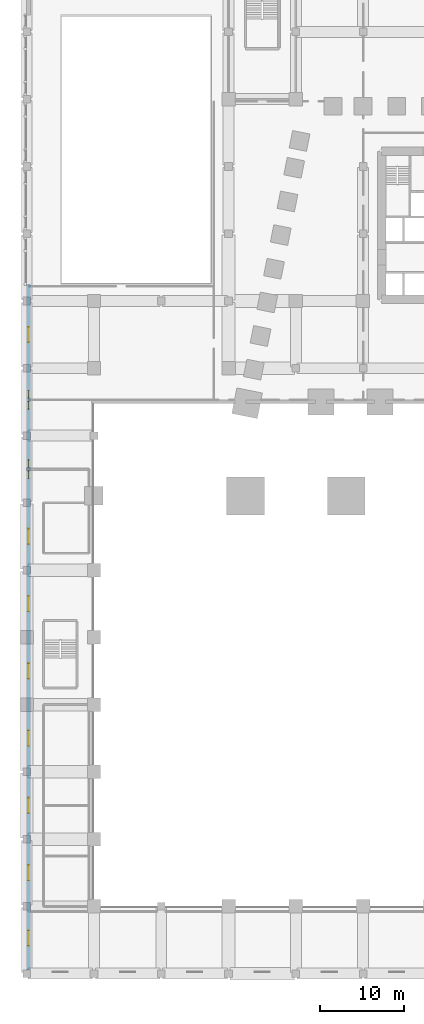
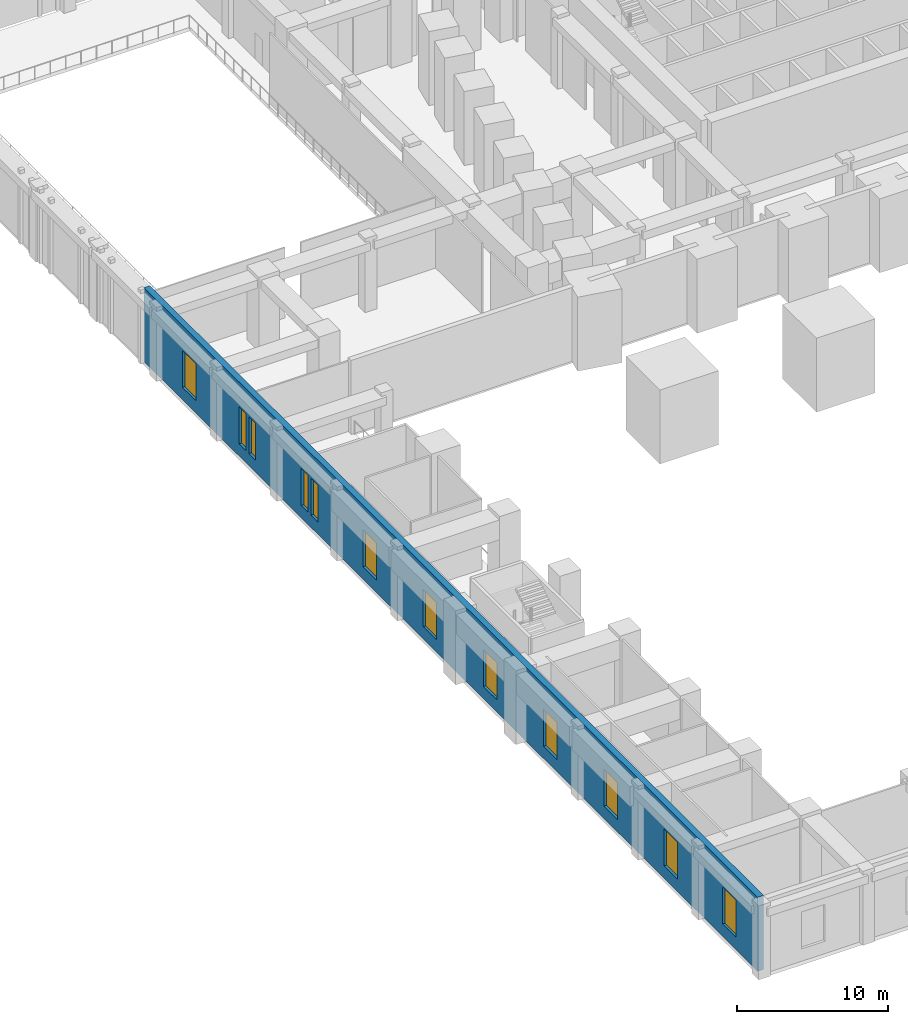
# One storey, part 7 of 25: 12 windows, 1 wall, 12 openings.
"""IFC4 building model written with IfcOpenShell, lengths in metres."""

from ifc_helpers import new_model, si_unit, direction, frame, frame_2d, origin, place, context, subcontext, project, spatial, rectangle, extrude, material, layer, layer_set, type_object, element, fill, save


model = new_model("IFC4")

# Units and contexts
model_context = context("Model", 3, precision=1e-05, world=origin(), true_north=direction((0.0, 1.0)))
body_context = subcontext(model_context, "Body", "Model", "MODEL_VIEW")
ifc_project = project(units=[si_unit("LENGTHUNIT", "METRE"), si_unit("AREAUNIT", "SQUARE_METRE"), si_unit("VOLUMEUNIT", "CUBIC_METRE"), si_unit("PLANEANGLEUNIT", "RADIAN"), si_unit("MASSUNIT", "GRAM", prefix="KILO")], contexts=[model_context])

# Site, building, storey
site_placement = place(None, origin())
site = spatial("IfcSite", under=ifc_project, at=site_placement, CompositionType="ELEMENT")
building_placement = place(site_placement, origin())
building = spatial("IfcBuilding", under=site, at=building_placement, Name="Isbrekke Arena Tower", CompositionType="ELEMENT")
storey_placement = place(building_placement, frame((0.0, 0.0, 6.0)))
storey = spatial("IfcBuildingStorey", under=building, at=storey_placement, Name="L01", CompositionType="ELEMENT", Elevation=6.0)

# Wall, openings, windows
ifc_material_1 = material(Name="Pale brick facing on concrete backing wall", Category="masonry")
ifc_layer = layer(ifc_material_1, 0.449951171875)
ifc_layer_set = layer_set([ifc_layer], Name="EW1 PODIUM BRICK WALL 450")
wall_type = type_object("IfcWallType", Name="EW1 PODIUM BRICK WALL 450", PredefinedType="SOLIDWALL", material=ifc_layer_set)
wall_placement = place(storey_placement, frame((-55.77490234375, 8.0, 0.0), z_axis=(0.0, 0.0, 1.0), x_axis=(0.0, -1.0, 0.0)))
wall = element("IfcWall", 1, at=wall_placement, inside=storey, type_object=wall_type, Name="EW1 podium wall W1 L01", PredefinedType="SOLIDWALL", context=body_context, shape_type="SweptSolid", body=[
    extrude(rectangle(XDim=81.550048828125, YDim=0.449951171875, at=frame_2d((40.77490234375, 0.0))), origin(), (0.0, 0.0, 1.0), 6.0),
])
opening_1_placement = place(wall_placement, frame((5.10009765625, 0.0, 1.0)))
opening_1 = element("IfcOpeningElement", 2, at=opening_1_placement, cuts=wall, Name="Opening WN2", PredefinedType="OPENING", context=body_context, shape_type="SweptSolid", body=[
    extrude(rectangle(XDim=1.800048828125, YDim=3.0, at=frame_2d((0.89990234375, 1.5))), frame((0.0, 0.23974609375, 0.0), z_axis=(0.0, -1.0, 0.0), x_axis=(1.0, 0.0, 0.0)), (0.0, 0.0, 1.0), 0.479736328125),
])
opening_2_placement = place(wall_placement, frame((12.64990234375, 0.0, 1.0)))
opening_2 = element("IfcOpeningElement", 3, at=opening_2_placement, cuts=wall, Name="Opening WN4", PredefinedType="OPENING", context=body_context, shape_type="SweptSolid", body=[
    extrude(rectangle(XDim=0.89990234375, YDim=3.0, at=frame_2d((0.449951171875, 1.5))), frame((0.0, 0.23974609375, 0.0), z_axis=(0.0, -1.0, 0.0), x_axis=(1.0, 0.0, 0.0)), (0.0, 0.0, 1.0), 0.479736328125),
])
opening_3_placement = place(wall_placement, frame((13.949951171875, 0.0, 1.0)))
opening_3 = element("IfcOpeningElement", 4, at=opening_3_placement, cuts=wall, Name="Opening WN4", PredefinedType="OPENING", context=body_context, shape_type="SweptSolid", body=[
    extrude(rectangle(XDim=0.89990234375, YDim=3.0, at=frame_2d((0.449951171875, 1.5))), frame((0.0, 0.23974609375, 0.0), z_axis=(0.0, -1.0, 0.0), x_axis=(1.0, 0.0, 0.0)), (0.0, 0.0, 1.0), 0.479736328125),
])
opening_4_placement = place(wall_placement, frame((20.89990234375, 0.0, 1.0)))
opening_4 = element("IfcOpeningElement", 5, at=opening_4_placement, cuts=wall, Name="Opening WN4", PredefinedType="OPENING", context=body_context, shape_type="SweptSolid", body=[
    extrude(rectangle(XDim=0.89990234375, YDim=3.0, at=frame_2d((0.449951171875, 1.5))), frame((0.0, 0.23974609375, 0.0), z_axis=(0.0, -1.0, 0.0), x_axis=(1.0, 0.0, 0.0)), (0.0, 0.0, 1.0), 0.479736328125),
])
opening_5_placement = place(wall_placement, frame((22.199951171875, 0.0, 1.0)))
opening_5 = element("IfcOpeningElement", 6, at=opening_5_placement, cuts=wall, Name="Opening WN4", PredefinedType="OPENING", context=body_context, shape_type="SweptSolid", body=[
    extrude(rectangle(XDim=0.89990234375, YDim=3.0, at=frame_2d((0.449951171875, 1.5))), frame((0.0, 0.23974609375, 0.0), z_axis=(0.0, -1.0, 0.0), x_axis=(1.0, 0.0, 0.0)), (0.0, 0.0, 1.0), 0.479736328125),
])
opening_6_placement = place(wall_placement, frame((29.10009765625, 0.0, 1.0)))
opening_6 = element("IfcOpeningElement", 7, at=opening_6_placement, cuts=wall, Name="Opening WN2", PredefinedType="OPENING", context=body_context, shape_type="SweptSolid", body=[
    extrude(rectangle(XDim=1.800048828125, YDim=3.0, at=frame_2d((0.89990234375, 1.5))), frame((0.0, 0.23974609375, 0.0), z_axis=(0.0, -1.0, 0.0), x_axis=(1.0, 0.0, 0.0)), (0.0, 0.0, 1.0), 0.479736328125),
])
opening_7_placement = place(wall_placement, frame((37.10009765625, 0.0, 1.0)))
opening_7 = element("IfcOpeningElement", 8, at=opening_7_placement, cuts=wall, Name="Opening WN2", PredefinedType="OPENING", context=body_context, shape_type="SweptSolid", body=[
    extrude(rectangle(XDim=1.800048828125, YDim=3.0, at=frame_2d((0.89990234375, 1.5))), frame((0.0, 0.23974609375, 0.0), z_axis=(0.0, -1.0, 0.0), x_axis=(1.0, 0.0, 0.0)), (0.0, 0.0, 1.0), 0.479736328125),
])
opening_8_placement = place(wall_placement, frame((45.10009765625, 0.0, 1.0)))
opening_8 = element("IfcOpeningElement", 9, at=opening_8_placement, cuts=wall, Name="Opening WN2", PredefinedType="OPENING", context=body_context, shape_type="SweptSolid", body=[
    extrude(rectangle(XDim=1.800048828125, YDim=3.0, at=frame_2d((0.89990234375, 1.5))), frame((0.0, 0.23974609375, 0.0), z_axis=(0.0, -1.0, 0.0), x_axis=(1.0, 0.0, 0.0)), (0.0, 0.0, 1.0), 0.479736328125),
])
opening_9_placement = place(wall_placement, frame((53.10009765625, 0.0, 1.0)))
opening_9 = element("IfcOpeningElement", 10, at=opening_9_placement, cuts=wall, Name="Opening WN2", PredefinedType="OPENING", context=body_context, shape_type="SweptSolid", body=[
    extrude(rectangle(XDim=1.800048828125, YDim=3.0, at=frame_2d((0.89990234375, 1.5))), frame((0.0, 0.23974609375, 0.0), z_axis=(0.0, -1.0, 0.0), x_axis=(1.0, 0.0, 0.0)), (0.0, 0.0, 1.0), 0.479736328125),
])
opening_10_placement = place(wall_placement, frame((61.10009765625, 0.0, 1.0)))
opening_10 = element("IfcOpeningElement", 11, at=opening_10_placement, cuts=wall, Name="Opening WN2", PredefinedType="OPENING", context=body_context, shape_type="SweptSolid", body=[
    extrude(rectangle(XDim=1.800048828125, YDim=3.0, at=frame_2d((0.89990234375, 1.5))), frame((0.0, 0.23974609375, 0.0), z_axis=(0.0, -1.0, 0.0), x_axis=(1.0, 0.0, 0.0)), (0.0, 0.0, 1.0), 0.479736328125),
])
opening_11_placement = place(wall_placement, frame((69.10009765625, 0.0, 1.0)))
opening_11 = element("IfcOpeningElement", 12, at=opening_11_placement, cuts=wall, Name="Opening WN2", PredefinedType="OPENING", context=body_context, shape_type="SweptSolid", body=[
    extrude(rectangle(XDim=1.800048828125, YDim=3.0, at=frame_2d((0.89990234375, 1.5))), frame((0.0, 0.23974609375, 0.0), z_axis=(0.0, -1.0, 0.0), x_axis=(1.0, 0.0, 0.0)), (0.0, 0.0, 1.0), 0.479736328125),
])
opening_12_placement = place(wall_placement, frame((76.875, 0.0, 1.0)))
opening_12 = element("IfcOpeningElement", 13, at=opening_12_placement, cuts=wall, Name="Opening WN2", PredefinedType="OPENING", context=body_context, shape_type="SweptSolid", body=[
    extrude(rectangle(XDim=1.800048828125, YDim=3.0, at=frame_2d((0.89990234375, 1.5))), frame((0.0, 0.23974609375, 0.0), z_axis=(0.0, -1.0, 0.0), x_axis=(1.0, 0.0, 0.0)), (0.0, 0.0, 1.0), 0.479736328125),
])
ifc_material_2 = material(Name="Timber-aluminium window, triple glazed", Category="wood")
window_type_1 = type_object("IfcWindowType", Name="WN2 PODIUM WINDOW 1800 x 3000", PartitioningType="SINGLE_PANEL", PredefinedType="WINDOW", material=ifc_material_2)
window_1_placement = place(opening_1_placement, origin())
window_1 = element("IfcWindow", 14, at=window_1_placement, inside=storey, type_object=window_type_1, Name="WN2 podium window W1-2", OverallHeight=3.0, OverallWidth=1.800048828125, PartitioningType="SINGLE_PANEL", PredefinedType="WINDOW", context=body_context, shape_type="SweptSolid", body=[
    extrude(rectangle(XDim=1.800048828125, YDim=3.0, at=frame_2d((0.89990234375, 1.5))), frame((0.0, 0.030029296875, 0.0), z_axis=(0.0, -1.0, 0.0), x_axis=(1.0, 0.0, 0.0)), (0.0, 0.0, 1.0), 0.06005859375),
])
fill(opening_1, window_1)
window_2_placement = place(opening_6_placement, origin())
window_2 = element("IfcWindow", 15, at=window_2_placement, inside=storey, type_object=window_type_1, Name="WN2 podium window W1-5", OverallHeight=3.0, OverallWidth=1.800048828125, PartitioningType="SINGLE_PANEL", PredefinedType="WINDOW", context=body_context, shape_type="SweptSolid", body=[
    extrude(rectangle(XDim=1.800048828125, YDim=3.0, at=frame_2d((0.89990234375, 1.5))), frame((0.0, 0.030029296875, 0.0), z_axis=(0.0, -1.0, 0.0), x_axis=(1.0, 0.0, 0.0)), (0.0, 0.0, 1.0), 0.06005859375),
])
fill(opening_6, window_2)
window_3_placement = place(opening_7_placement, origin())
window_3 = element("IfcWindow", 16, at=window_3_placement, inside=storey, type_object=window_type_1, Name="WN2 podium window W1-6", OverallHeight=3.0, OverallWidth=1.800048828125, PartitioningType="SINGLE_PANEL", PredefinedType="WINDOW", context=body_context, shape_type="SweptSolid", body=[
    extrude(rectangle(XDim=1.800048828125, YDim=3.0, at=frame_2d((0.89990234375, 1.5))), frame((0.0, 0.030029296875, 0.0), z_axis=(0.0, -1.0, 0.0), x_axis=(1.0, 0.0, 0.0)), (0.0, 0.0, 1.0), 0.06005859375),
])
fill(opening_7, window_3)
window_4_placement = place(opening_8_placement, origin())
window_4 = element("IfcWindow", 17, at=window_4_placement, inside=storey, type_object=window_type_1, Name="WN2 podium window W1-7", OverallHeight=3.0, OverallWidth=1.800048828125, PartitioningType="SINGLE_PANEL", PredefinedType="WINDOW", context=body_context, shape_type="SweptSolid", body=[
    extrude(rectangle(XDim=1.800048828125, YDim=3.0, at=frame_2d((0.89990234375, 1.5))), frame((0.0, 0.030029296875, 0.0), z_axis=(0.0, -1.0, 0.0), x_axis=(1.0, 0.0, 0.0)), (0.0, 0.0, 1.0), 0.06005859375),
])
fill(opening_8, window_4)
window_5_placement = place(opening_9_placement, origin())
window_5 = element("IfcWindow", 18, at=window_5_placement, inside=storey, type_object=window_type_1, Name="WN2 podium window W1-8", OverallHeight=3.0, OverallWidth=1.800048828125, PartitioningType="SINGLE_PANEL", PredefinedType="WINDOW", context=body_context, shape_type="SweptSolid", body=[
    extrude(rectangle(XDim=1.800048828125, YDim=3.0, at=frame_2d((0.89990234375, 1.5))), frame((0.0, 0.030029296875, 0.0), z_axis=(0.0, -1.0, 0.0), x_axis=(1.0, 0.0, 0.0)), (0.0, 0.0, 1.0), 0.06005859375),
])
fill(opening_9, window_5)
window_6_placement = place(opening_10_placement, origin())
window_6 = element("IfcWindow", 19, at=window_6_placement, inside=storey, type_object=window_type_1, Name="WN2 podium window W1-9", OverallHeight=3.0, OverallWidth=1.800048828125, PartitioningType="SINGLE_PANEL", PredefinedType="WINDOW", context=body_context, shape_type="SweptSolid", body=[
    extrude(rectangle(XDim=1.800048828125, YDim=3.0, at=frame_2d((0.89990234375, 1.5))), frame((0.0, 0.030029296875, 0.0), z_axis=(0.0, -1.0, 0.0), x_axis=(1.0, 0.0, 0.0)), (0.0, 0.0, 1.0), 0.06005859375),
])
fill(opening_10, window_6)
window_7_placement = place(opening_11_placement, origin())
window_7 = element("IfcWindow", 20, at=window_7_placement, inside=storey, type_object=window_type_1, Name="WN2 podium window W1-10", OverallHeight=3.0, OverallWidth=1.800048828125, PartitioningType="SINGLE_PANEL", PredefinedType="WINDOW", context=body_context, shape_type="SweptSolid", body=[
    extrude(rectangle(XDim=1.800048828125, YDim=3.0, at=frame_2d((0.89990234375, 1.5))), frame((0.0, 0.030029296875, 0.0), z_axis=(0.0, -1.0, 0.0), x_axis=(1.0, 0.0, 0.0)), (0.0, 0.0, 1.0), 0.06005859375),
])
fill(opening_11, window_7)
window_8_placement = place(opening_12_placement, origin())
window_8 = element("IfcWindow", 21, at=window_8_placement, inside=storey, type_object=window_type_1, Name="WN2 podium window W1-11", OverallHeight=3.0, OverallWidth=1.800048828125, PartitioningType="SINGLE_PANEL", PredefinedType="WINDOW", context=body_context, shape_type="SweptSolid", body=[
    extrude(rectangle(XDim=1.800048828125, YDim=3.0, at=frame_2d((0.89990234375, 1.5))), frame((0.0, 0.030029296875, 0.0), z_axis=(0.0, -1.0, 0.0), x_axis=(1.0, 0.0, 0.0)), (0.0, 0.0, 1.0), 0.06005859375),
])
fill(opening_12, window_8)
ifc_material_3 = material(Name="Timber-aluminium window, triple glazed", Category="wood")
window_type_2 = type_object("IfcWindowType", Name="WN4 PODIUM WINDOW 900 x 3000", PartitioningType="SINGLE_PANEL", PredefinedType="WINDOW", material=ifc_material_3)
window_9_placement = place(opening_2_placement, origin())
window_9 = element("IfcWindow", 22, at=window_9_placement, inside=storey, type_object=window_type_2, Name="WN4 podium window W1-3a", OverallHeight=3.0, OverallWidth=0.89990234375, PartitioningType="SINGLE_PANEL", PredefinedType="WINDOW", context=body_context, shape_type="SweptSolid", body=[
    extrude(rectangle(XDim=0.89990234375, YDim=3.0, at=frame_2d((0.449951171875, 1.5))), frame((0.0, 0.030029296875, 0.0), z_axis=(0.0, -1.0, 0.0), x_axis=(1.0, 0.0, 0.0)), (0.0, 0.0, 1.0), 0.06005859375),
])
fill(opening_2, window_9)
window_10_placement = place(opening_3_placement, origin())
window_10 = element("IfcWindow", 23, at=window_10_placement, inside=storey, type_object=window_type_2, Name="WN4 podium window W1-3b", OverallHeight=3.0, OverallWidth=0.89990234375, PartitioningType="SINGLE_PANEL", PredefinedType="WINDOW", context=body_context, shape_type="SweptSolid", body=[
    extrude(rectangle(XDim=0.89990234375, YDim=3.0, at=frame_2d((0.449951171875, 1.5))), frame((0.0, 0.030029296875, 0.0), z_axis=(0.0, -1.0, 0.0), x_axis=(1.0, 0.0, 0.0)), (0.0, 0.0, 1.0), 0.06005859375),
])
fill(opening_3, window_10)
window_11_placement = place(opening_4_placement, origin())
window_11 = element("IfcWindow", 24, at=window_11_placement, inside=storey, type_object=window_type_2, Name="WN4 podium window W1-4a", OverallHeight=3.0, OverallWidth=0.89990234375, PartitioningType="SINGLE_PANEL", PredefinedType="WINDOW", context=body_context, shape_type="SweptSolid", body=[
    extrude(rectangle(XDim=0.89990234375, YDim=3.0, at=frame_2d((0.449951171875, 1.5))), frame((0.0, 0.030029296875, 0.0), z_axis=(0.0, -1.0, 0.0), x_axis=(1.0, 0.0, 0.0)), (0.0, 0.0, 1.0), 0.06005859375),
])
fill(opening_4, window_11)
window_12_placement = place(opening_5_placement, origin())
window_12 = element("IfcWindow", 25, at=window_12_placement, inside=storey, type_object=window_type_2, Name="WN4 podium window W1-4b", OverallHeight=3.0, OverallWidth=0.89990234375, PartitioningType="SINGLE_PANEL", PredefinedType="WINDOW", context=body_context, shape_type="SweptSolid", body=[
    extrude(rectangle(XDim=0.89990234375, YDim=3.0, at=frame_2d((0.449951171875, 1.5))), frame((0.0, 0.030029296875, 0.0), z_axis=(0.0, -1.0, 0.0), x_axis=(1.0, 0.0, 0.0)), (0.0, 0.0, 1.0), 0.06005859375),
])
fill(opening_5, window_12)

save(model, "model.ifc")
